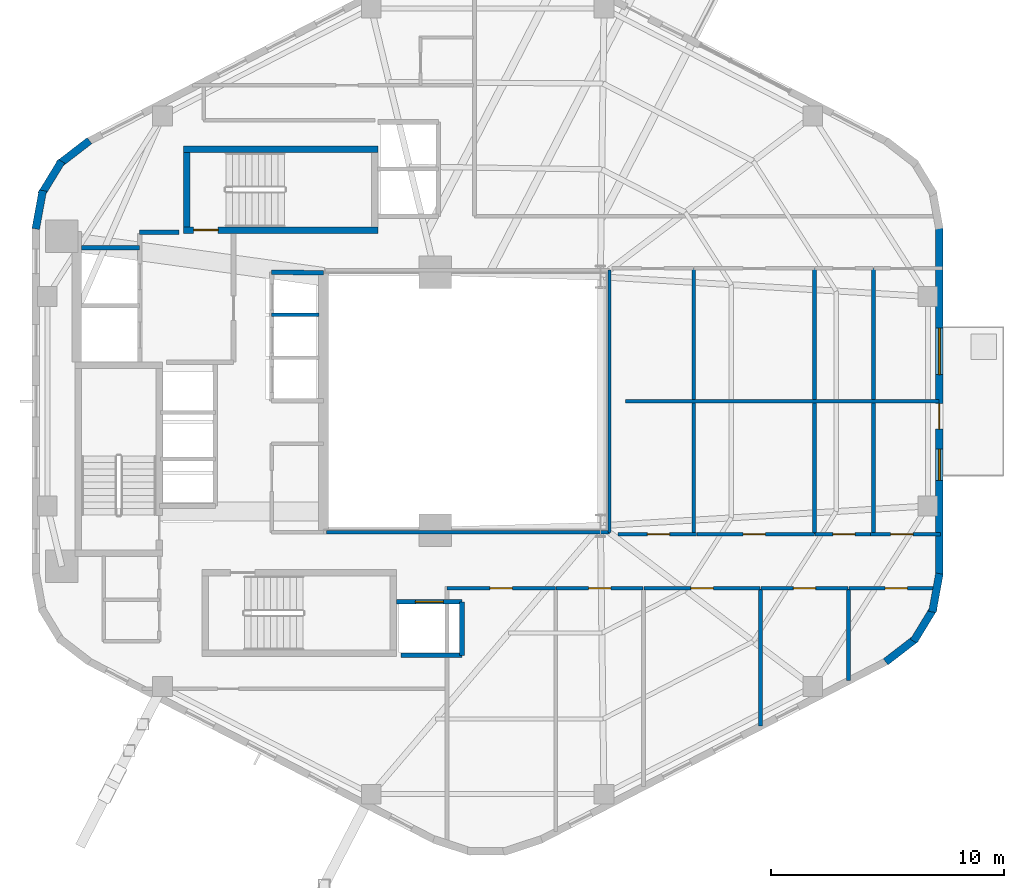
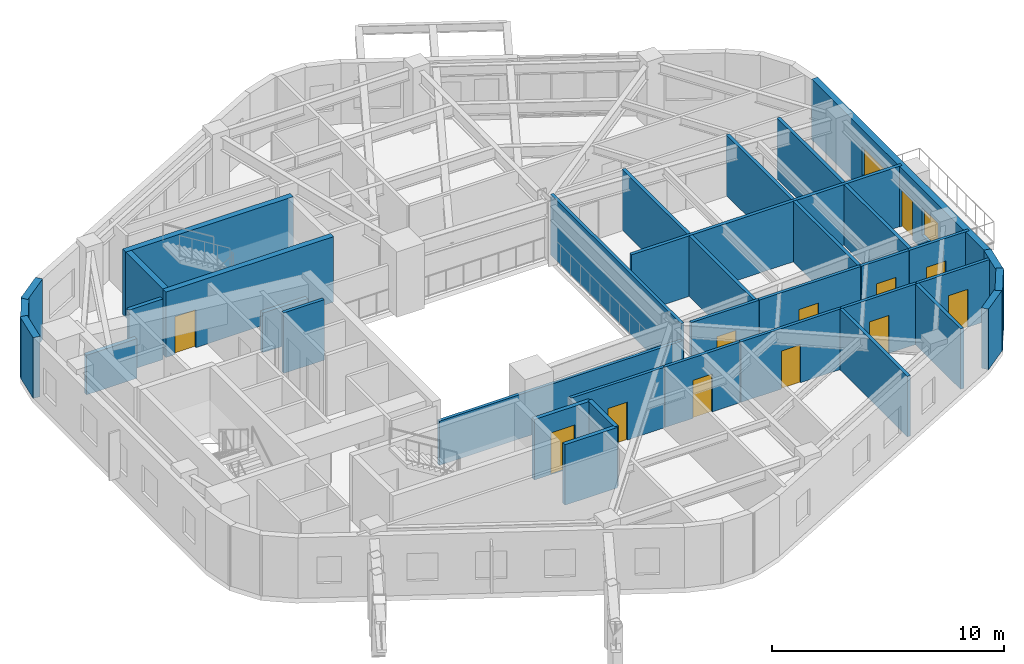
# One storey, part 7 of 11: 37 walls, 12 doors, 2 windows, 14 openings.
"""IFC4 building model written with IfcOpenShell, lengths in metres."""

from ifc_helpers import new_model, si_unit, direction, frame, frame_2d, origin, place, context, subcontext, project, spatial, rectangle, extrude, material, layer, layer_set, type_object, element, fill, save


model = new_model("IFC4")

# Units and contexts
model_context = context("Model", 3, precision=1e-05, world=origin(), true_north=direction((0.0, 1.0)))
body_context = subcontext(model_context, "Body", "Model", "MODEL_VIEW")
ifc_project = project(units=[si_unit("LENGTHUNIT", "METRE"), si_unit("AREAUNIT", "SQUARE_METRE"), si_unit("VOLUMEUNIT", "CUBIC_METRE"), si_unit("PLANEANGLEUNIT", "RADIAN"), si_unit("MASSUNIT", "GRAM", prefix="KILO"), si_unit("THERMODYNAMICTEMPERATUREUNIT", "KELVIN"), si_unit("POWERUNIT", "WATT")], contexts=[model_context])

# Site, building, storey
site_placement = place(None, origin())
site = spatial("IfcSite", under=ifc_project, at=site_placement, CompositionType="ELEMENT")
building_placement = place(site_placement, origin())
building = spatial("IfcBuilding", under=site, at=building_placement, Name="Skarre Station Tower", CompositionType="ELEMENT")
storey_placement = place(building_placement, frame((0.0, 0.0, 167.10009765625)))
storey = spatial("IfcBuildingStorey", under=building, at=storey_placement, Name="L45", CompositionType="ELEMENT", Elevation=167.10009765625)

# Walls
ifc_material_1 = material(Name="Acoustic Steel-Stud Gypsum Partition", Category="steel")
ifc_layer_1 = layer(ifc_material_1, 0.14990234375, Name="Acoustic Steel-Stud Gypsum Partition")
ifc_layer_set_1 = layer_set([ifc_layer_1], Name="Acoustic Steel-Stud Gypsum Partition")
wall_type_1 = type_object("IfcWallType", Name="Fire-Rated Corridor Acoustic Partition 150", PredefinedType="PARTITIONING", material=ifc_layer_set_1)
wall_1_placement = place(storey_placement, frame((27.675048828125, 18.360107421875, 0.0), z_axis=(0.0, 0.0, 1.0), x_axis=(1.0, 0.0, 0.0)))
element("IfcWall", 1, at=wall_1_placement, inside=storey, type_object=wall_type_1, Name="L45 Interior Partition WL-PT-L45-ATRW-S", PredefinedType="PARTITIONING", context=body_context, shape_type="SweptSolid", body=[
    extrude(rectangle(XDim=12.1650390625, YDim=0.14990234375, at=frame_2d((6.08251953125, 0.0))), origin(), (0.0, 0.0, 1.0), 2.330810546875),
])
wall_2_placement = place(storey_placement, frame((39.840087890625, 18.360107421875, 0.0), z_axis=(0.0, 0.0, 1.0), x_axis=(0.0, 1.0, 0.0)))
element("IfcWall", 2, at=wall_2_placement, inside=storey, type_object=wall_type_1, Name="L45 Interior Partition WL-PT-L45-ATRW-E", PredefinedType="PARTITIONING", context=body_context, shape_type="SweptSolid", body=[
    extrude(rectangle(XDim=11.27978515625, YDim=0.14990234375, at=frame_2d((5.639892578125, 0.0))), origin(), (0.0, 0.0, 1.0), 3.18994140625),
])

# Wall, opening, door
wall_3_placement = place(storey_placement, frame((43.5810546875, 18.2900390625, 0.0), z_axis=(0.0, 0.0, 1.0), x_axis=(-1.0, 0.0, 0.0)))
wall_3 = element("IfcWall", 3, at=wall_3_placement, inside=storey, type_object=wall_type_1, Name="L45 Interior Partition WL-PT-L45-EWS1-CW", PredefinedType="PARTITIONING", context=body_context, shape_type="SweptSolid", body=[
    extrude(rectangle(XDim=3.381103515625, YDim=0.14990234375, at=frame_2d((1.6904296875, 0.0))), origin(), (0.0, 0.0, 1.0), 3.18994140625),
])
opening_1_placement = place(wall_3_placement, frame((1.153076171875, 0.0, 0.0)))
opening_1 = element("IfcOpeningElement", 4, at=opening_1_placement, cuts=wall_3, Name="Opening DR-FD60", PredefinedType="OPENING", context=body_context, shape_type="SweptSolid", body=[
    extrude(rectangle(XDim=0.9599609375, YDim=2.0, at=frame_2d((0.47998046875, 1.0))), frame((0.0, 0.0849609375, 0.0), z_axis=(0.0, -1.0, 0.0), x_axis=(1.0, 0.0, 0.0)), (0.0, 0.0, 1.0), 0.169921875),
])
ifc_material_2 = material(Name="Nordic White-Oak Veneer Solid-Core Fire Leaf", Category="wood")
door_type_1 = type_object("IfcDoorType", Name="Corridor Suite Entry Fire Door FD60 960x2150", OperationType="SINGLE_SWING_LEFT", PredefinedType="DOOR", material=ifc_material_2)
door_1_placement = place(opening_1_placement, origin())
door_1 = element("IfcDoor", 5, at=door_1_placement, inside=storey, type_object=door_type_1, Name="L45 EWS1 Entry Door", OperationType="SINGLE_SWING_LEFT", OverallHeight=2.0, OverallWidth=0.9599609375, PredefinedType="DOOR", context=body_context, shape_type="SweptSolid", body=[
    extrude(rectangle(XDim=0.9599609375, YDim=2.0, at=frame_2d((0.47998046875, 1.0))), frame((0.0, 0.02490234375, 0.0), z_axis=(0.0, -1.0, 0.0), x_axis=(1.0, 0.0, 0.0)), (0.0, 0.0, 1.0), 0.050048828125),
])
fill(opening_1, door_1)

wall_4_placement = place(storey_placement, frame((48.64111328125, 18.2900390625, 0.0), z_axis=(0.0, 0.0, 1.0), x_axis=(-1.0, 0.0, 0.0)))
wall_4 = element("IfcWall", 6, at=wall_4_placement, inside=storey, type_object=wall_type_1, Name="L45 Interior Partition WL-PT-L45-EWS2-CW", PredefinedType="PARTITIONING", context=body_context, shape_type="SweptSolid", body=[
    extrude(rectangle(XDim=5.050048828125, YDim=0.14990234375, at=frame_2d((2.52490234375, 0.0))), origin(), (0.0, 0.0, 1.0), 3.18994140625),
])
opening_2_placement = place(wall_4_placement, frame((2.10205078125, 0.0, 0.0)))
opening_2 = element("IfcOpeningElement", 7, at=opening_2_placement, cuts=wall_4, Name="Opening DR-FD60", PredefinedType="OPENING", context=body_context, shape_type="SweptSolid", body=[
    extrude(rectangle(XDim=0.9599609375, YDim=2.0, at=frame_2d((0.47998046875, 1.0))), frame((0.0, 0.0849609375, 0.0), z_axis=(0.0, -1.0, 0.0), x_axis=(1.0, 0.0, 0.0)), (0.0, 0.0, 1.0), 0.169921875),
])
door_2_placement = place(opening_2_placement, origin())
door_2 = element("IfcDoor", 8, at=door_2_placement, inside=storey, type_object=door_type_1, Name="L45 EWS2 Entry Door", OperationType="SINGLE_SWING_LEFT", OverallHeight=2.0, OverallWidth=0.9599609375, PredefinedType="DOOR", context=body_context, shape_type="SweptSolid", body=[
    extrude(rectangle(XDim=0.9599609375, YDim=2.0, at=frame_2d((0.47998046875, 1.0))), frame((0.0, 0.02490234375, 0.0), z_axis=(0.0, -1.0, 0.0), x_axis=(1.0, 0.0, 0.0)), (0.0, 0.0, 1.0), 0.050048828125),
])
fill(opening_2, door_2)

wall_5_placement = place(storey_placement, frame((51.053955078125, 18.2900390625, 0.0), z_axis=(0.0, 0.0, 1.0), x_axis=(-1.0, 0.0, 0.0)))
wall_5 = element("IfcWall", 9, at=wall_5_placement, inside=storey, type_object=wall_type_1, Name="L45 Interior Partition WL-PT-L45-EWS3-CW", PredefinedType="PARTITIONING", context=body_context, shape_type="SweptSolid", body=[
    extrude(rectangle(XDim=2.383056640625, YDim=0.14990234375, at=frame_2d((1.19140625, 0.0))), origin(), (0.0, 0.0, 1.0), 3.18994140625),
])
opening_3_placement = place(wall_5_placement, frame((0.654052734375, 0.0, 0.0)))
opening_3 = element("IfcOpeningElement", 10, at=opening_3_placement, cuts=wall_5, Name="Opening DR-FD60", PredefinedType="OPENING", context=body_context, shape_type="SweptSolid", body=[
    extrude(rectangle(XDim=0.9599609375, YDim=2.0, at=frame_2d((0.47998046875, 1.0))), frame((0.0, 0.0849609375, 0.0), z_axis=(0.0, -1.0, 0.0), x_axis=(1.0, 0.0, 0.0)), (0.0, 0.0, 1.0), 0.169921875),
])
door_3_placement = place(opening_3_placement, origin())
door_3 = element("IfcDoor", 11, at=door_3_placement, inside=storey, type_object=door_type_1, Name="L45 EWS3 Entry Door", OperationType="SINGLE_SWING_LEFT", OverallHeight=2.0, OverallWidth=0.9599609375, PredefinedType="DOOR", context=body_context, shape_type="SweptSolid", body=[
    extrude(rectangle(XDim=0.9599609375, YDim=2.0, at=frame_2d((0.47998046875, 1.0))), frame((0.0, 0.02490234375, 0.0), z_axis=(0.0, -1.0, 0.0), x_axis=(1.0, 0.0, 0.0)), (0.0, 0.0, 1.0), 0.050048828125),
])
fill(opening_3, door_3)

wall_6_placement = place(storey_placement, frame((54.06201171875, 18.2900390625, 0.0), z_axis=(0.0, 0.0, 1.0), x_axis=(-1.0, 0.0, 0.0)))
wall_6 = element("IfcWall", 12, at=wall_6_placement, inside=storey, type_object=wall_type_1, Name="L45 Interior Partition WL-PT-L45-EWS4-CW", PredefinedType="PARTITIONING", context=body_context, shape_type="SweptSolid", body=[
    extrude(rectangle(XDim=2.998046875, YDim=0.14990234375, at=frame_2d((1.4990234375, 0.0))), origin(), (0.0, 0.0, 1.0), 3.18994140625),
])
opening_4_placement = place(wall_6_placement, frame((1.176025390625, 0.0, 0.0)))
opening_4 = element("IfcOpeningElement", 13, at=opening_4_placement, cuts=wall_6, Name="Opening DR-FD60", PredefinedType="OPENING", context=body_context, shape_type="SweptSolid", body=[
    extrude(rectangle(XDim=0.9599609375, YDim=2.0, at=frame_2d((0.47998046875, 1.0))), frame((0.0, 0.0849609375, 0.0), z_axis=(0.0, -1.0, 0.0), x_axis=(1.0, 0.0, 0.0)), (0.0, 0.0, 1.0), 0.169921875),
])
door_4_placement = place(opening_4_placement, origin())
door_4 = element("IfcDoor", 14, at=door_4_placement, inside=storey, type_object=door_type_1, Name="L45 EWS4 Entry Door", OperationType="SINGLE_SWING_LEFT", OverallHeight=2.0, OverallWidth=0.9599609375, PredefinedType="DOOR", context=body_context, shape_type="SweptSolid", body=[
    extrude(rectangle(XDim=0.9599609375, YDim=2.0, at=frame_2d((0.47998046875, 1.0))), frame((0.0, 0.02490234375, 0.0), z_axis=(0.0, -1.0, 0.0), x_axis=(1.0, 0.0, 0.0)), (0.0, 0.0, 1.0), 0.050048828125),
])
fill(opening_4, door_4)

wall_7_placement = place(storey_placement, frame((32.85009765625, 15.9599609375, 0.0), z_axis=(0.0, 0.0, 1.0), x_axis=(1.0, 0.0, 0.0)))
wall_7 = element("IfcWall", 15, at=wall_7_placement, inside=storey, type_object=wall_type_1, Name="L45 Interior Partition WL-PT-L45-SW1-CW", PredefinedType="PARTITIONING", context=body_context, shape_type="SweptSolid", body=[
    extrude(rectangle(XDim=4.663818359375, YDim=0.14990234375, at=frame_2d((2.33203125, 0.0))), origin(), (0.0, 0.0, 1.0), 3.18994140625),
])
opening_5_placement = place(wall_7_placement, frame((1.85205078125, 0.0, 0.0)))
opening_5 = element("IfcOpeningElement", 16, at=opening_5_placement, cuts=wall_7, Name="Opening DR-FD60", PredefinedType="OPENING", context=body_context, shape_type="SweptSolid", body=[
    extrude(rectangle(XDim=0.9599609375, YDim=2.0, at=frame_2d((0.47998046875, 1.0))), frame((0.0, 0.0849609375, 0.0), z_axis=(0.0, -1.0, 0.0), x_axis=(1.0, 0.0, 0.0)), (0.0, 0.0, 1.0), 0.169921875),
])
door_5_placement = place(opening_5_placement, origin())
door_5 = element("IfcDoor", 17, at=door_5_placement, inside=storey, type_object=door_type_1, Name="L45 SW1 Entry Door", OperationType="SINGLE_SWING_LEFT", OverallHeight=2.0, OverallWidth=0.9599609375, PredefinedType="DOOR", context=body_context, shape_type="SweptSolid", body=[
    extrude(rectangle(XDim=0.9599609375, YDim=2.0, at=frame_2d((0.47998046875, 1.0))), frame((0.0, 0.02490234375, 0.0), z_axis=(0.0, -1.0, 0.0), x_axis=(1.0, 0.0, 0.0)), (0.0, 0.0, 1.0), 0.050048828125),
])
fill(opening_5, door_5)

wall_8_placement = place(storey_placement, frame((37.550048828125, 15.9599609375, 0.0), z_axis=(0.0, 0.0, 1.0), x_axis=(1.0, 0.0, 0.0)))
wall_8 = element("IfcWall", 18, at=wall_8_placement, inside=storey, type_object=wall_type_1, Name="L45 Interior Partition WL-PT-L45-SW2-CW", PredefinedType="PARTITIONING", context=body_context, shape_type="SweptSolid", body=[
    extrude(rectangle(XDim=3.737060546875, YDim=0.14990234375, at=frame_2d((1.86865234375, 0.0))), origin(), (0.0, 0.0, 1.0), 3.18994140625),
])
opening_6_placement = place(wall_8_placement, frame((1.388916015625, 0.0, 0.0)))
opening_6 = element("IfcOpeningElement", 19, at=opening_6_placement, cuts=wall_8, Name="Opening DR-FD60", PredefinedType="OPENING", context=body_context, shape_type="SweptSolid", body=[
    extrude(rectangle(XDim=0.9599609375, YDim=2.0, at=frame_2d((0.47998046875, 1.0))), frame((0.0, 0.0849609375, 0.0), z_axis=(0.0, -1.0, 0.0), x_axis=(1.0, 0.0, 0.0)), (0.0, 0.0, 1.0), 0.169921875),
])
door_6_placement = place(opening_6_placement, origin())
door_6 = element("IfcDoor", 20, at=door_6_placement, inside=storey, type_object=door_type_1, Name="L45 SW2 Entry Door", OperationType="SINGLE_SWING_LEFT", OverallHeight=2.0, OverallWidth=0.9599609375, PredefinedType="DOOR", context=body_context, shape_type="SweptSolid", body=[
    extrude(rectangle(XDim=0.9599609375, YDim=2.0, at=frame_2d((0.47998046875, 1.0))), frame((0.0, 0.02490234375, 0.0), z_axis=(0.0, -1.0, 0.0), x_axis=(1.0, 0.0, 0.0)), (0.0, 0.0, 1.0), 0.050048828125),
])
fill(opening_6, door_6)

wall_9_placement = place(storey_placement, frame((41.322998046875, 15.9599609375, 0.0), z_axis=(0.0, 0.0, 1.0), x_axis=(1.0, 0.0, 0.0)))
wall_9 = element("IfcWall", 21, at=wall_9_placement, inside=storey, type_object=wall_type_1, Name="L45 Interior Partition WL-PT-L45-SW3-CW", PredefinedType="PARTITIONING", context=body_context, shape_type="SweptSolid", body=[
    extrude(rectangle(XDim=4.9951171875, YDim=0.14990234375, at=frame_2d((2.49755859375, 0.0))), origin(), (0.0, 0.0, 1.0), 3.18994140625),
])
opening_7_placement = place(wall_9_placement, frame((2.01806640625, 0.0, 0.0)))
opening_7 = element("IfcOpeningElement", 22, at=opening_7_placement, cuts=wall_9, Name="Opening DR-FD60", PredefinedType="OPENING", context=body_context, shape_type="SweptSolid", body=[
    extrude(rectangle(XDim=0.9599609375, YDim=2.0, at=frame_2d((0.47998046875, 1.0))), frame((0.0, 0.0849609375, 0.0), z_axis=(0.0, -1.0, 0.0), x_axis=(1.0, 0.0, 0.0)), (0.0, 0.0, 1.0), 0.169921875),
])
door_7_placement = place(opening_7_placement, origin())
door_7 = element("IfcDoor", 23, at=door_7_placement, inside=storey, type_object=door_type_1, Name="L45 SW3 Entry Door", OperationType="SINGLE_SWING_LEFT", OverallHeight=2.0, OverallWidth=0.9599609375, PredefinedType="DOOR", context=body_context, shape_type="SweptSolid", body=[
    extrude(rectangle(XDim=0.9599609375, YDim=2.0, at=frame_2d((0.47998046875, 1.0))), frame((0.0, 0.02490234375, 0.0), z_axis=(0.0, -1.0, 0.0), x_axis=(1.0, 0.0, 0.0)), (0.0, 0.0, 1.0), 0.050048828125),
])
fill(opening_7, door_7)

wall_10_placement = place(storey_placement, frame((46.35400390625, 15.9599609375, 0.0), z_axis=(0.0, 0.0, 1.0), x_axis=(1.0, 0.0, 0.0)))
wall_10 = element("IfcWall", 24, at=wall_10_placement, inside=storey, type_object=wall_type_1, Name="L45 Interior Partition WL-PT-L45-SW4-CW", PredefinedType="PARTITIONING", context=body_context, shape_type="SweptSolid", body=[
    extrude(rectangle(XDim=3.737060546875, YDim=0.14990234375, at=frame_2d((1.86865234375, 0.0))), origin(), (0.0, 0.0, 1.0), 3.18994140625),
])
opening_8_placement = place(wall_10_placement, frame((1.388916015625, 0.0, 0.0)))
opening_8 = element("IfcOpeningElement", 25, at=opening_8_placement, cuts=wall_10, Name="Opening DR-FD60", PredefinedType="OPENING", context=body_context, shape_type="SweptSolid", body=[
    extrude(rectangle(XDim=0.9599609375, YDim=2.0, at=frame_2d((0.47998046875, 1.0))), frame((0.0, 0.0849609375, 0.0), z_axis=(0.0, -1.0, 0.0), x_axis=(1.0, 0.0, 0.0)), (0.0, 0.0, 1.0), 0.169921875),
])
door_8_placement = place(opening_8_placement, origin())
door_8 = element("IfcDoor", 26, at=door_8_placement, inside=storey, type_object=door_type_1, Name="L45 SW4 Entry Door", OperationType="SINGLE_SWING_LEFT", OverallHeight=2.0, OverallWidth=0.9599609375, PredefinedType="DOOR", context=body_context, shape_type="SweptSolid", body=[
    extrude(rectangle(XDim=0.9599609375, YDim=2.0, at=frame_2d((0.47998046875, 1.0))), frame((0.0, 0.02490234375, 0.0), z_axis=(0.0, -1.0, 0.0), x_axis=(1.0, 0.0, 0.0)), (0.0, 0.0, 1.0), 0.050048828125),
])
fill(opening_8, door_8)

wall_11_placement = place(storey_placement, frame((50.126953125, 15.9599609375, 0.0), z_axis=(0.0, 0.0, 1.0), x_axis=(1.0, 0.0, 0.0)))
wall_11 = element("IfcWall", 27, at=wall_11_placement, inside=storey, type_object=wall_type_1, Name="L45 Interior Partition WL-PT-L45-SW5-CW", PredefinedType="PARTITIONING", context=body_context, shape_type="SweptSolid", body=[
    extrude(rectangle(XDim=3.93603515625, YDim=0.14990234375, at=frame_2d((1.968017578125, 0.0))), origin(), (0.0, 0.0, 1.0), 3.18994140625),
])
opening_9_placement = place(wall_11_placement, frame((1.556884765625, 0.0, 0.0)))
opening_9 = element("IfcOpeningElement", 28, at=opening_9_placement, cuts=wall_11, Name="Opening DR-FD60", PredefinedType="OPENING", context=body_context, shape_type="SweptSolid", body=[
    extrude(rectangle(XDim=0.9599609375, YDim=2.0, at=frame_2d((0.47998046875, 1.0))), frame((0.0, 0.0849609375, 0.0), z_axis=(0.0, -1.0, 0.0), x_axis=(1.0, 0.0, 0.0)), (0.0, 0.0, 1.0), 0.169921875),
])
door_9_placement = place(opening_9_placement, origin())
door_9 = element("IfcDoor", 29, at=door_9_placement, inside=storey, type_object=door_type_1, Name="L45 SW5 Entry Door", OperationType="SINGLE_SWING_LEFT", OverallHeight=2.0, OverallWidth=0.9599609375, PredefinedType="DOOR", context=body_context, shape_type="SweptSolid", body=[
    extrude(rectangle(XDim=0.9599609375, YDim=2.0, at=frame_2d((0.47998046875, 1.0))), frame((0.0, 0.02490234375, 0.0), z_axis=(0.0, -1.0, 0.0), x_axis=(1.0, 0.0, 0.0)), (0.0, 0.0, 1.0), 0.050048828125),
])
fill(opening_9, door_9)

# Walls
ifc_material_3 = material(Name="Precast concrete C45/55", Category="concrete")
ifc_layer_2 = layer(ifc_material_3, 0.330078125, Name="Precast concrete C45/55")
ifc_layer_set_2 = layer_set([ifc_layer_2], Name="Precast concrete C45/55")
wall_type_2 = type_object("IfcWallType", Name="Nordic Rounded Corner Precast Wall 330", PredefinedType="STANDARD", material=ifc_layer_set_2)
wall_12_placement = place(storey_placement, frame((15.178955078125, 31.407958984375, 0.0), z_axis=(0.0, 0.0, 1.0), x_axis=(0.180717642671, 0.983535019014, 0.0)))
element("IfcWall", 30, at=wall_12_placement, inside=storey, type_object=wall_type_2, Name="L45 Rounded Corner Precast Wall F2-1", PredefinedType="STANDARD", context=body_context, shape_type="SweptSolid", body=[
    extrude(rectangle(XDim=1.676513671875, YDim=0.330078125, at=frame_2d((0.83837890625, 0.0))), origin(), (0.0, 0.0, 1.0), 3.18994140625),
])
wall_13_placement = place(storey_placement, frame((15.4150390625, 32.882080078125, 0.0), z_axis=(0.0, 0.0, 1.0), x_axis=(0.520325409202, 0.853968072318, 0.0)))
element("IfcWall", 31, at=wall_13_placement, inside=storey, type_object=wall_type_2, Name="L45 Rounded Corner Precast Wall F2-2", PredefinedType="STANDARD", context=body_context, shape_type="SweptSolid", body=[
    extrude(rectangle(XDim=1.677978515625, YDim=0.330078125, at=frame_2d((0.8388671875, 0.0))), origin(), (0.0, 0.0, 1.0), 3.18994140625),
])
for number, where, z_axis, x_axis, name in (
    (32, (16.162109375, 34.175048828125, 0.0), (0.0, 0.0, 1.0), (0.791409877269, 0.611285862884, 0.0), "L45 Rounded Corner Precast Wall F2-3"),
    (33, (54.02099609375, 16.592041015625, 0.0), (0.0, 0.0, 1.0), (-0.180717642671, -0.983535019014, 0.0), "L45 Rounded Corner Precast Wall F5-1"),
):
    element("IfcWall", number, at=place(storey_placement, frame(where, z_axis=z_axis, x_axis=x_axis)), inside=storey, type_object=wall_type_2, Name=name, PredefinedType="STANDARD", context=body_context, shape_type="SweptSolid", body=[
        extrude(rectangle(XDim=1.676513671875, YDim=0.330078125, at=frame_2d((0.83837890625, 0.0))), origin(), (0.0, 0.0, 1.0), 3.18994140625),
    ])
wall_14_placement = place(storey_placement, frame((53.784912109375, 15.117919921875, 0.0), z_axis=(0.0, 0.0, 1.0), x_axis=(-0.520219286058, -0.85403272444, 0.0)))
element("IfcWall", 34, at=wall_14_placement, inside=storey, type_object=wall_type_2, Name="L45 Rounded Corner Precast Wall F5-2", PredefinedType="STANDARD", context=body_context, shape_type="SweptSolid", body=[
    extrude(rectangle(XDim=1.677734375, YDim=0.330078125, at=frame_2d((0.8388671875, 0.0))), origin(), (0.0, 0.0, 1.0), 3.18994140625),
])
wall_15_placement = place(storey_placement, frame((53.0380859375, 13.824951171875, 0.0), z_axis=(0.0, 0.0, 1.0), x_axis=(-0.791464279355, -0.611215423976, 0.0)))
element("IfcWall", 35, at=wall_15_placement, inside=storey, type_object=wall_type_2, Name="L45 Rounded Corner Precast Wall F5-3", PredefinedType="STANDARD", context=body_context, shape_type="SweptSolid", body=[
    extrude(rectangle(XDim=1.6767578125, YDim=0.330078125, at=frame_2d((0.83837890625, 0.0))), origin(), (0.0, 0.0, 1.0), 3.18994140625),
])

# Wall, openings, windows, door
ifc_layer_3 = layer(ifc_material_3, 0.31005859375, Name="Precast concrete C45/55")
ifc_layer_set_3 = layer_set([ifc_layer_3], Name="Precast concrete C45/55")
wall_type_3 = type_object("IfcWallType", Name="Nordic Upper-Zone Precast Facet Wall 310", PredefinedType="STANDARD", material=ifc_layer_set_3)
wall_16_placement = place(storey_placement, frame((54.01708984375, 31.501953125, 0.0), z_axis=(0.0, 0.0, 1.0), x_axis=(0.0, -1.0, 0.0)))
wall_16 = element("IfcWall", 36, at=wall_16_placement, inside=storey, type_object=wall_type_3, Name="L45 Facet 5 Nordic Precast Masonry Wall", PredefinedType="STANDARD", context=body_context, shape_type="SweptSolid", body=[
    extrude(rectangle(XDim=15.00390625, YDim=0.31005859375, at=frame_2d((7.501953125, 0.0))), origin(), (0.0, 0.0, 1.0), 3.18994140625),
])
opening_10_placement = place(wall_16_placement, frame((7.60205078125, 0.0, 0.0)))
opening_10 = element("IfcOpeningElement", 37, at=opening_10_placement, cuts=wall_16, Name="Opening DR-BAL110", PredefinedType="OPENING", context=body_context, shape_type="SweptSolid", body=[
    extrude(rectangle(XDim=1.10009765625, YDim=2.0400390625, at=frame_2d((0.550048828125, 1.02001953125))), frame((0.0, 0.1650390625, 0.0), z_axis=(0.0, -1.0, 0.0), x_axis=(1.0, 0.0, 0.0)), (0.0, 0.0, 1.0), 0.330078125),
])
opening_11_placement = place(wall_16_placement, frame((4.35302734375, 0.0, 0.75)))
opening_11 = element("IfcOpeningElement", 38, at=opening_11_placement, cuts=wall_16, Name="Opening WN-Z3A", PredefinedType="OPENING", context=body_context, shape_type="SweptSolid", body=[
    extrude(rectangle(XDim=2.0, YDim=1.5, at=frame_2d((1.0, 0.75))), frame((0.0, 0.1650390625, 0.0), z_axis=(0.0, -1.0, 0.0), x_axis=(1.0, 0.0, 0.0)), (0.0, 0.0, 1.0), 0.330078125),
])
opening_12_placement = place(wall_16_placement, frame((9.554931640625, 0.0, 0.75)))
opening_12 = element("IfcOpeningElement", 39, at=opening_12_placement, cuts=wall_16, Name="Opening WN-Z3B", PredefinedType="OPENING", context=body_context, shape_type="SweptSolid", body=[
    extrude(rectangle(XDim=1.35009765625, YDim=1.449951171875, at=frame_2d((0.675048828125, 0.72509765625))), frame((0.0, 0.1650390625, 0.0), z_axis=(0.0, -1.0, 0.0), x_axis=(1.0, 0.0, 0.0)), (0.0, 0.0, 1.0), 0.330078125),
])
ifc_material_4 = material(Name="Low-Iron Triple Glazing with Bronze Anodized Frame", Category="glass")
window_type_1 = type_object("IfcWindowType", Name="Nordic Hospitality Narrow Window 1350x1450", PartitioningType="SINGLE_PANEL", PredefinedType="WINDOW", material=ifc_material_4)
window_1_placement = place(opening_12_placement, origin())
window_1 = element("IfcWindow", 40, at=window_1_placement, inside=storey, type_object=window_type_1, Name="L45 Facade Window WL-FAC-L45-F5-2", OverallHeight=1.449951171875, OverallWidth=1.35009765625, PartitioningType="SINGLE_PANEL", PredefinedType="WINDOW", context=body_context, shape_type="SweptSolid", body=[
    extrude(rectangle(XDim=1.35009765625, YDim=1.449951171875, at=frame_2d((0.675048828125, 0.72509765625))), frame((0.0, 0.030029296875, 0.0), z_axis=(0.0, -1.0, 0.0), x_axis=(1.0, 0.0, 0.0)), (0.0, 0.0, 1.0), 0.06005859375),
])
fill(opening_12, window_1)
window_type_2 = type_object("IfcWindowType", Name="Nordic Hospitality Window 2000x1500", PartitioningType="SINGLE_PANEL", PredefinedType="WINDOW", material=ifc_material_4)
window_2_placement = place(opening_11_placement, origin())
window_2 = element("IfcWindow", 41, at=window_2_placement, inside=storey, type_object=window_type_2, Name="L45 Facade Window WL-FAC-L45-F5-1", OverallHeight=1.5, OverallWidth=2.0, PartitioningType="SINGLE_PANEL", PredefinedType="WINDOW", context=body_context, shape_type="SweptSolid", body=[
    extrude(rectangle(XDim=2.0, YDim=1.5, at=frame_2d((1.0, 0.75))), frame((0.0, 0.030029296875, 0.0), z_axis=(0.0, -1.0, 0.0), x_axis=(1.0, 0.0, 0.0)), (0.0, 0.0, 1.0), 0.06005859375),
])
fill(opening_11, window_2)
ifc_material_5 = material(Name="Thermally Broken Aluminium & Triple Glazing", Category="aluminium")
door_type_2 = type_object("IfcDoorType", Name="Terrace & Tree-Balcony Glazed Door 1100x2200", OperationType="SINGLE_SWING_LEFT", PredefinedType="DOOR", material=ifc_material_5)
door_10_placement = place(opening_10_placement, origin())
door_10 = element("IfcDoor", 42, at=door_10_placement, inside=storey, type_object=door_type_2, Name="L45 TB-L45-F5 Tree-Balcony Glazed Door", OperationType="SINGLE_SWING_LEFT", OverallHeight=2.0400390625, OverallWidth=1.10009765625, PredefinedType="DOOR", context=body_context, shape_type="SweptSolid", body=[
    extrude(rectangle(XDim=1.10009765625, YDim=2.0400390625, at=frame_2d((0.550048828125, 1.02001953125))), frame((0.0, 0.02490234375, 0.0), z_axis=(0.0, -1.0, 0.0), x_axis=(1.0, 0.0, 0.0)), (0.0, 0.0, 1.0), 0.050048828125),
])
fill(opening_10, door_10)

# Wall, opening, door
ifc_material_6 = material(Name="Concrete C50/60", Category="concrete")
ifc_layer_4 = layer(ifc_material_6, 0.280029296875, Name="Concrete C50/60")
ifc_layer_set_4 = layer_set([ifc_layer_4], Name="Concrete C50/60")
wall_type_4 = type_object("IfcWallType", Name="RC Core Shear Wall 280", PredefinedType="SHEAR", material=ifc_layer_set_4)
wall_17_placement = place(storey_placement, frame((21.52001953125, 31.360107421875, 0.0), z_axis=(0.0, 0.0, 1.0), x_axis=(1.0, 0.0, 0.0)))
wall_17 = element("IfcWall", 43, at=wall_17_placement, inside=storey, type_object=wall_type_4, Name="L45 Stair ST-3 South Shear Wall", PredefinedType="SHEAR", context=body_context, shape_type="SweptSolid", body=[
    extrude(rectangle(XDim=8.35986328125, YDim=0.280029296875, at=frame_2d((4.179931640625, 0.0))), origin(), (0.0, 0.0, 1.0), 3.449951171875),
])
opening_13_placement = place(wall_17_placement, frame((0.449951171875, 0.0, 0.0)))
opening_13 = element("IfcOpeningElement", 44, at=opening_13_placement, cuts=wall_17, Name="Opening DR-FD90", PredefinedType="OPENING", context=body_context, shape_type="SweptSolid", body=[
    extrude(rectangle(XDim=1.050048828125, YDim=2.0, at=frame_2d((0.52490234375, 1.0))), frame((0.0, 0.14990234375, 0.0), z_axis=(0.0, -1.0, 0.0), x_axis=(1.0, 0.0, 0.0)), (0.0, 0.0, 1.0), 0.300048828125),
])
ifc_material_7 = material(Name="Fire-Rated Insulated Steel Frame & Timber Core Leaf", Category="steel")
door_type_3 = type_object("IfcDoorType", Name="Stair & FSAE Lobby Fire Door FD90 1050x2150", OperationType="SINGLE_SWING_RIGHT", PredefinedType="DOOR", material=ifc_material_7)
door_11_placement = place(opening_13_placement, origin())
door_11 = element("IfcDoor", 45, at=door_11_placement, inside=storey, type_object=door_type_3, Name="L45 Stair ST-3 & FSAE Lobby Direct Exit Door", OperationType="SINGLE_SWING_LEFT", OverallHeight=2.0, OverallWidth=1.050048828125, PredefinedType="DOOR", context=body_context, shape_type="SweptSolid", body=[
    extrude(rectangle(XDim=1.050048828125, YDim=2.0, at=frame_2d((0.52490234375, 1.0))), frame((0.0, 0.02490234375, 0.0), z_axis=(0.0, -1.0, 0.0), x_axis=(1.0, 0.0, 0.0)), (0.0, 0.0, 1.0), 0.050048828125),
])
fill(opening_13, door_11)

# Walls
wall_18_placement = place(storey_placement, frame((29.8798828125, 34.840087890625, 0.0), z_axis=(0.0, 0.0, 1.0), x_axis=(-1.0, 0.0, 0.0)))
element("IfcWall", 46, at=wall_18_placement, inside=storey, type_object=wall_type_4, Name="L45 Stair ST-3 North Shear Wall", PredefinedType="SHEAR", context=body_context, shape_type="SweptSolid", body=[
    extrude(rectangle(XDim=8.35986328125, YDim=0.280029296875, at=frame_2d((4.179931640625, 0.0))), origin(), (0.0, 0.0, 1.0), 3.449951171875),
])
wall_19_placement = place(storey_placement, frame((21.659912109375, 34.699951171875, 0.0), z_axis=(0.0, 0.0, 1.0), x_axis=(0.0, -1.0, 0.0)))
element("IfcWall", 47, at=wall_19_placement, inside=storey, type_object=wall_type_4, Name="L45 Stair ST-3 West Shear Wall", PredefinedType="SHEAR", context=body_context, shape_type="SweptSolid", body=[
    extrude(rectangle(XDim=3.199951171875, YDim=0.280029296875, at=frame_2d((1.60009765625, 0.0))), origin(), (0.0, 0.0, 1.0), 3.449951171875),
])
ifc_material_8 = material(Name="Gypsum Concrete Shaft Assembly C30/37", Category="concrete")
ifc_layer_5 = layer(ifc_material_8, 0.199951171875, Name="Gypsum Concrete Shaft Assembly C30/37")
ifc_layer_set_5 = layer_set([ifc_layer_5], Name="Gypsum Concrete Shaft Assembly C30/37")
wall_type_5 = type_object("IfcWallType", Name="Shaft & Core Fire Partition 200", PredefinedType="PARTITIONING", material=ifc_layer_set_5)
wall_20_placement = place(storey_placement, frame((21.330078125, 31.260009765625, 0.0), z_axis=(0.0, 0.0, 1.0), x_axis=(-1.0, 0.0, 0.0)))
element("IfcWall", 48, at=wall_20_placement, inside=storey, type_object=wall_type_5, Name="L45 Interior Partition WL-PT-L45-FSAE-N", PredefinedType="PARTITIONING", context=body_context, shape_type="SweptSolid", body=[
    extrude(rectangle(XDim=1.68017578125, YDim=0.199951171875, at=frame_2d((0.840087890625, 0.0))), origin(), (0.0, 0.0, 1.0), 3.18994140625),
])
wall_21_placement = place(storey_placement, frame((19.64990234375, 30.60009765625, 0.0), z_axis=(0.0, 0.0, 1.0), x_axis=(-1.0, 0.0, 0.0)))
element("IfcWall", 49, at=wall_21_placement, inside=storey, type_object=wall_type_5, Name="L45 Interior Partition WL-PT-L45-FF-N", PredefinedType="PARTITIONING", context=body_context, shape_type="SweptSolid", body=[
    extrude(rectangle(XDim=2.5, YDim=0.199951171875, at=frame_2d((1.25, 0.0))), origin(), (0.0, 0.0, 1.0), 2.08984375),
])

# Wall, opening, door
wall_22_placement = place(storey_placement, frame((33.5, 15.3798828125, 0.0), z_axis=(0.0, 0.0, 1.0), x_axis=(-1.0, 0.0, 0.0)))
wall_22 = element("IfcWall", 50, at=wall_22_placement, inside=storey, type_object=wall_type_5, Name="L45 Interior Partition WL-PT-L45-SV1-N", PredefinedType="PARTITIONING", context=body_context, shape_type="SweptSolid", body=[
    extrude(rectangle(XDim=2.820068359375, YDim=0.199951171875, at=frame_2d((1.41015625, 0.0))), origin(), (0.0, 0.0, 1.0), 3.18994140625),
])
opening_14_placement = place(wall_22_placement, frame((0.800048828125, 0.0, 0.0)))
opening_14 = element("IfcOpeningElement", 51, at=opening_14_placement, cuts=wall_22, Name="Opening LD-SV1", PredefinedType="OPENING", context=body_context, shape_type="SweptSolid", body=[
    extrude(rectangle(XDim=1.199951171875, YDim=2.199951171875, at=frame_2d((0.60009765625, 1.10009765625))), frame((0.0, 0.10986328125, 0.0), z_axis=(0.0, -1.0, 0.0), x_axis=(1.0, 0.0, 0.0)), (0.0, 0.0, 1.0), 0.219970703125),
])
ifc_material_9 = material(Name="Heavy-Gauge Brushed Stainless Steel Sliding Leaves", Category="steel")
door_type_4 = type_object("IfcDoorType", Name="Service Elevator Wide Sliding Landing Door 1200x2200", OperationType="SLIDING_TO_RIGHT", PredefinedType="DOOR", material=ifc_material_9)
door_12_placement = place(opening_14_placement, origin())
door_12 = element("IfcDoor", 52, at=door_12_placement, inside=storey, type_object=door_type_4, Name="L45 Service Lift LF-SV1 Landing Door", OperationType="SLIDING_TO_RIGHT", OverallHeight=2.199951171875, OverallWidth=1.199951171875, PredefinedType="DOOR", context=body_context, shape_type="SweptSolid", body=[
    extrude(rectangle(XDim=1.199951171875, YDim=2.199951171875, at=frame_2d((0.60009765625, 1.10009765625))), frame((0.0, 0.02490234375, 0.0), z_axis=(0.0, -1.0, 0.0), x_axis=(1.0, 0.0, 0.0)), (0.0, 0.0, 1.0), 0.050048828125),
])
fill(opening_14, door_12)

# Walls
wall_23_placement = place(storey_placement, frame((33.5, 13.080078125, 0.0), z_axis=(0.0, 0.0, 1.0), x_axis=(0.0, 1.0, 0.0)))
element("IfcWall", 53, at=wall_23_placement, inside=storey, type_object=wall_type_5, Name="L45 Interior Partition WL-PT-L45-SV1-E", PredefinedType="PARTITIONING", context=body_context, shape_type="SweptSolid", body=[
    extrude(rectangle(XDim=2.2998046875, YDim=0.199951171875, at=frame_2d((1.14990234375, 0.0))), origin(), (0.0, 0.0, 1.0), 3.18994140625),
])
wall_24_placement = place(storey_placement, frame((30.87890625, 13.080078125, 0.0), z_axis=(0.0, 0.0, 1.0), x_axis=(1.0, 0.0, 0.0)))
element("IfcWall", 54, at=wall_24_placement, inside=storey, type_object=wall_type_5, Name="L45 Interior Partition WL-PT-L45-SV1-S", PredefinedType="PARTITIONING", context=body_context, shape_type="SweptSolid", body=[
    extrude(rectangle(XDim=2.62109375, YDim=0.199951171875, at=frame_2d((1.310546875, 0.0))), origin(), (0.0, 0.0, 1.0), 3.18994140625),
])
wall_25_placement = place(storey_placement, frame((27.550048828125, 29.52001953125, 0.0), z_axis=(0.0, 0.0, 1.0), x_axis=(-0.999909343457, 0.013464949556, 0.0)))
element("IfcWall", 55, at=wall_25_placement, inside=storey, type_object=wall_type_5, Name="L45 Interior Partition WL-PT-L45-B2-N", PredefinedType="PARTITIONING", context=body_context, shape_type="SweptSolid", body=[
    extrude(rectangle(XDim=2.230224609375, YDim=0.199951171875, at=frame_2d((1.115234375, 0.0))), origin(), (0.0, 0.0, 1.0), 2.08984375),
])
wall_26_placement = place(storey_placement, frame((25.320068359375, 27.719970703125, 0.0), z_axis=(0.0, 0.0, 1.0), x_axis=(1.0, 0.0, 0.0)))
element("IfcWall", 56, at=wall_26_placement, inside=storey, type_object=wall_type_5, Name="L45 Interior Partition WL-PT-L45-B2-D277", PredefinedType="PARTITIONING", context=body_context, shape_type="SweptSolid", body=[
    extrude(rectangle(XDim=2.030029296875, YDim=0.159912109375, at=frame_2d((1.01513671875, 0.0))), origin(), (0.0, 0.0, 1.0), 3.18994140625),
])
ifc_layer_6 = layer(ifc_material_1, 0.1650390625, Name="Acoustic Steel-Stud Gypsum Partition")
ifc_layer_set_6 = layer_set([ifc_layer_6], Name="Acoustic Steel-Stud Gypsum Partition")
wall_type_6 = type_object("IfcWallType", Name="Suite Demising Acoustic Partition 165", PredefinedType="PARTITIONING", material=ifc_layer_set_6)
wall_27_placement = place(storey_placement, frame((40.52001953125, 24.0, 0.0), z_axis=(0.0, 0.0, 1.0), x_axis=(1.0, 0.0, 0.0)))
element("IfcWall", 57, at=wall_27_placement, inside=storey, type_object=wall_type_6, Name="L45 Interior Partition WL-PT-L45-EW-Z2MID", PredefinedType="PARTITIONING", context=body_context, shape_type="SweptSolid", body=[
    extrude(rectangle(XDim=13.48193359375, YDim=0.1650390625, at=frame_2d((6.740966796875, 0.0))), origin(), (0.0, 0.0, 1.0), 3.18994140625),
])
for number, where, z_axis, x_axis, name in (
    (58, (43.4609375, 24.070068359375, 0.0), (0.0, 0.0, 1.0), (0.0, 1.0, 0.0), "L45 Interior Partition WL-PT-L45-EWN-P1"),
    (59, (48.656005859375, 24.070068359375, 0.0), (0.0, 0.0, 1.0), (0.0, 1.0, 0.0), "L45 Interior Partition WL-PT-L45-EWN-P2"),
    (60, (51.18408203125, 24.070068359375, 0.0), (0.0, 0.0, 1.0), (0.0, 1.0, 0.0), "L45 Interior Partition WL-PT-L45-EWN-P3"),
    (61, (43.4609375, 18.2900390625, 0.0), (0.0, 0.0, 1.0), (0.0, 1.0, 0.0), "L45 Interior Partition WL-PT-L45-EWS-P1"),
    (62, (48.656005859375, 18.2900390625, 0.0), (0.0, 0.0, 1.0), (0.0, 1.0, 0.0), "L45 Interior Partition WL-PT-L45-EWS-P2"),
    (63, (51.18408203125, 18.2900390625, 0.0), (0.0, 0.0, 1.0), (0.0, 1.0, 0.0), "L45 Interior Partition WL-PT-L45-EWS-P3"),
):
    element("IfcWall", number, at=place(storey_placement, frame(where, z_axis=z_axis, x_axis=x_axis)), inside=storey, type_object=wall_type_6, Name=name, PredefinedType="PARTITIONING", context=body_context, shape_type="SweptSolid", body=[
        extrude(rectangle(XDim=5.639892578125, YDim=0.1650390625, at=frame_2d((2.81982421875, 0.0))), origin(), (0.0, 0.0, 1.0), 3.18994140625),
    ])
wall_28_placement = place(storey_placement, frame((46.3359375, 10.048095703125, 0.0), z_axis=(0.0, 0.0, 1.0), x_axis=(0.0, 1.0, 0.0)))
element("IfcWall", 64, at=wall_28_placement, inside=storey, type_object=wall_type_6, Name="L45 Interior Partition WL-PT-L45-SW-P3", PredefinedType="PARTITIONING", context=body_context, shape_type="SweptSolid", body=[
    extrude(rectangle(XDim=5.8818359375, YDim=0.1650390625, at=frame_2d((2.94091796875, 0.0))), origin(), (0.0, 0.0, 1.0), 3.18994140625),
])
wall_29_placement = place(storey_placement, frame((50.10888671875, 11.9951171875, 0.0), z_axis=(0.0, 0.0, 1.0), x_axis=(0.0, 1.0, 0.0)))
element("IfcWall", 65, at=wall_29_placement, inside=storey, type_object=wall_type_6, Name="L45 Interior Partition WL-PT-L45-SW-P4", PredefinedType="PARTITIONING", context=body_context, shape_type="SweptSolid", body=[
    extrude(rectangle(XDim=3.934814453125, YDim=0.1650390625, at=frame_2d((1.96728515625, 0.0))), origin(), (0.0, 0.0, 1.0), 3.18994140625),
])

save(model, "model.ifc")
